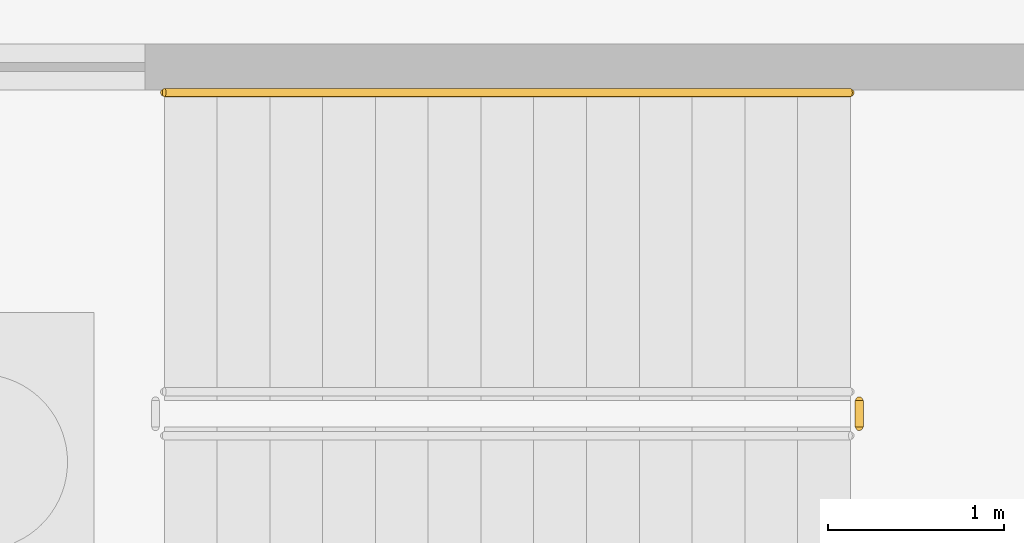
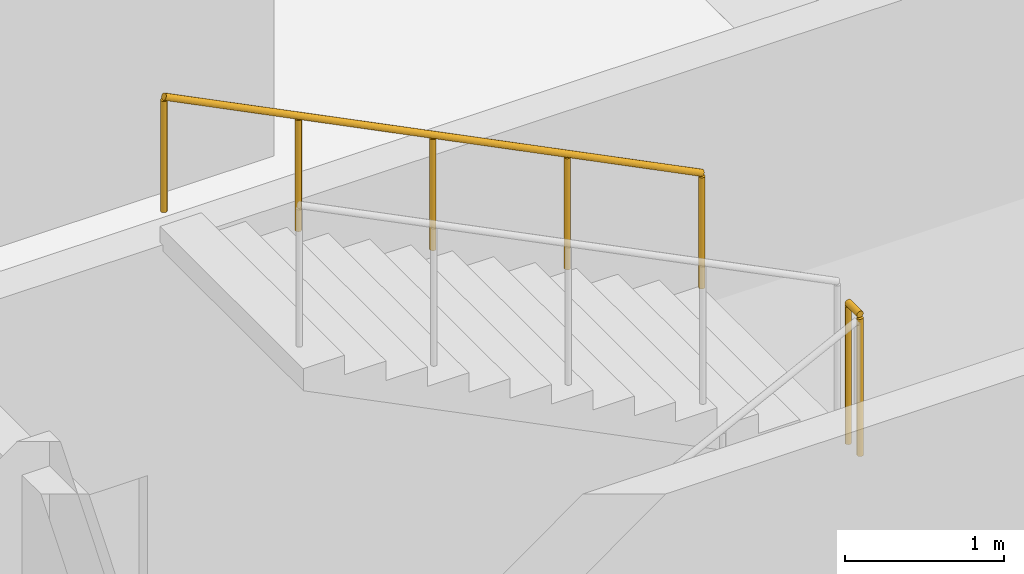
# One storey, part 48 of 54: 2 railings.
"""IFC4 building model written with IfcOpenShell, lengths in metres."""

from ifc_helpers import new_model, si_unit, direction, frame, origin, origin_2d, place, context, subcontext, project, spatial, circle, extrude, material, type_object, element, save


model = new_model("IFC4")

# Units and contexts
model_context = context("Model", 3, precision=1e-05, world=origin(), true_north=direction((0.0, 1.0)))
body_context = subcontext(model_context, "Body", "Model", "MODEL_VIEW")
ifc_project = project(units=[si_unit("LENGTHUNIT", "METRE"), si_unit("AREAUNIT", "SQUARE_METRE"), si_unit("VOLUMEUNIT", "CUBIC_METRE"), si_unit("PLANEANGLEUNIT", "RADIAN"), si_unit("MASSUNIT", "GRAM", prefix="KILO")], contexts=[model_context])

# Site, building, storey
site_placement = place(None, origin())
site = spatial("IfcSite", under=ifc_project, at=site_placement, CompositionType="ELEMENT")
building_placement = place(site_placement, origin())
building = spatial("IfcBuilding", under=site, at=building_placement, Name="Zevrakil Square Congress Hotel", CompositionType="ELEMENT")
storey_placement = place(building_placement, frame((0.0, 0.0, -8.39990234375)))
storey = spatial("IfcBuildingStorey", under=building, at=storey_placement, Name="B2", CompositionType="ELEMENT", Elevation=-8.39990234375)

# Railings
ifc_material_1 = material(Name="Steel S355", Category="steel")
railing_type_1 = type_object("IfcRailingType", Name="RLG-STAIR-GUARD-1100", PredefinedType="BALUSTRADE", material=ifc_material_1)
railing_1_placement = place(storey_placement, frame((61.35009765625, 41.0, 2.099853515625)))
element("IfcRailing", 1, at=railing_1_placement, inside=storey, type_object=railing_type_1, Name="B2 ST04 stair guard 2", PredefinedType="BALUSTRADE", context=body_context, shape_type="SweptSolid", body=[
    extrude(circle(Radius=0.02392578125, at=origin_2d()), frame((0.0, 0.0, 1.076171875), z_axis=(0.0, 1.0, 0.0), x_axis=(-1.0, 0.0, 0.0)), (0.0, 0.0, 1.0), 0.14990234375),
    extrude(circle(Radius=0.02099609375, at=origin_2d()), origin(), (0.0, 0.0, 1.0), 1.052001953125),
    extrude(circle(Radius=0.02099609375, at=origin_2d()), frame((0.0, 0.14990234375, 0.0)), (0.0, 0.0, 1.0), 1.052001953125),
])
ifc_material_2 = material(Name="Steel S355", Category="steel")
railing_type_2 = type_object("IfcRailingType", Name="RLG-STAIR-HAND-900", PredefinedType="HANDRAIL", material=ifc_material_2)
railing_2_placement = place(storey_placement, frame((61.300048828125, 42.89990234375, 2.25)))
element("IfcRailing", 2, at=railing_2_placement, inside=storey, type_object=railing_type_2, Name="B2 ST04 stair handrail 2", PredefinedType="HANDRAIL", context=body_context, shape_type="SweptSolid", body=[
    extrude(circle(Radius=0.02392578125, at=origin_2d()), frame((0.0, 0.0, 0.8759765625), z_axis=(-0.894438388696, 0.0, 0.447191199406), x_axis=(0.0, -1.0, 0.0)), (0.0, 0.0, 1.0), 4.3603515625),
    extrude(circle(Radius=0.02099609375, at=origin_2d()), origin(), (0.0, 0.0, 1.0), 0.851806640625),
    extrude(circle(Radius=0.02099609375, at=origin_2d()), frame((-0.97509765625, 0.0, 0.487548828125)), (0.0, 0.0, 1.0), 0.851806640625),
    extrude(circle(Radius=0.02099609375, at=origin_2d()), frame((-1.9501953125, 0.0, 0.97509765625)), (0.0, 0.0, 1.0), 0.851806640625),
    extrude(circle(Radius=0.02099609375, at=origin_2d()), frame((-2.925048828125, 0.0, 1.46240234375)), (0.0, 0.0, 1.0), 0.851806640625),
    extrude(circle(Radius=0.02099609375, at=origin_2d()), frame((-3.900146484375, 0.0, 1.949951171875)), (0.0, 0.0, 1.0), 0.851806640625),
])

save(model, "model.ifc")
